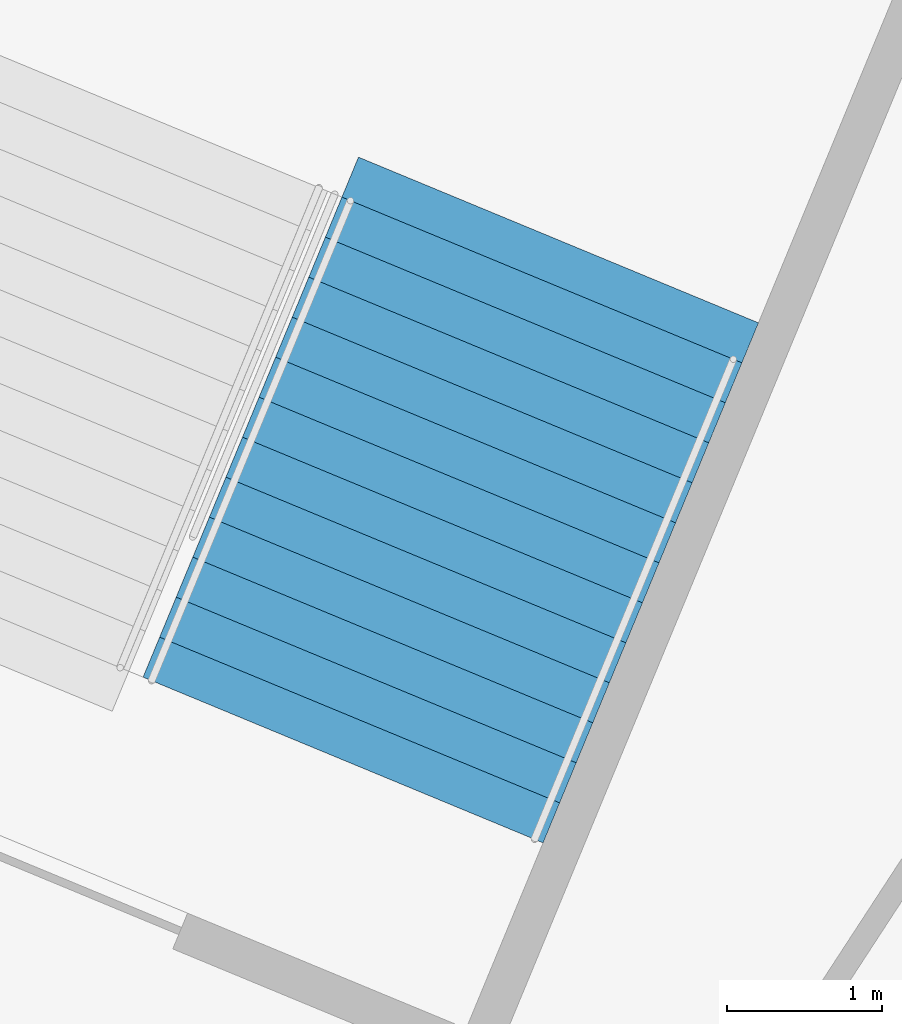
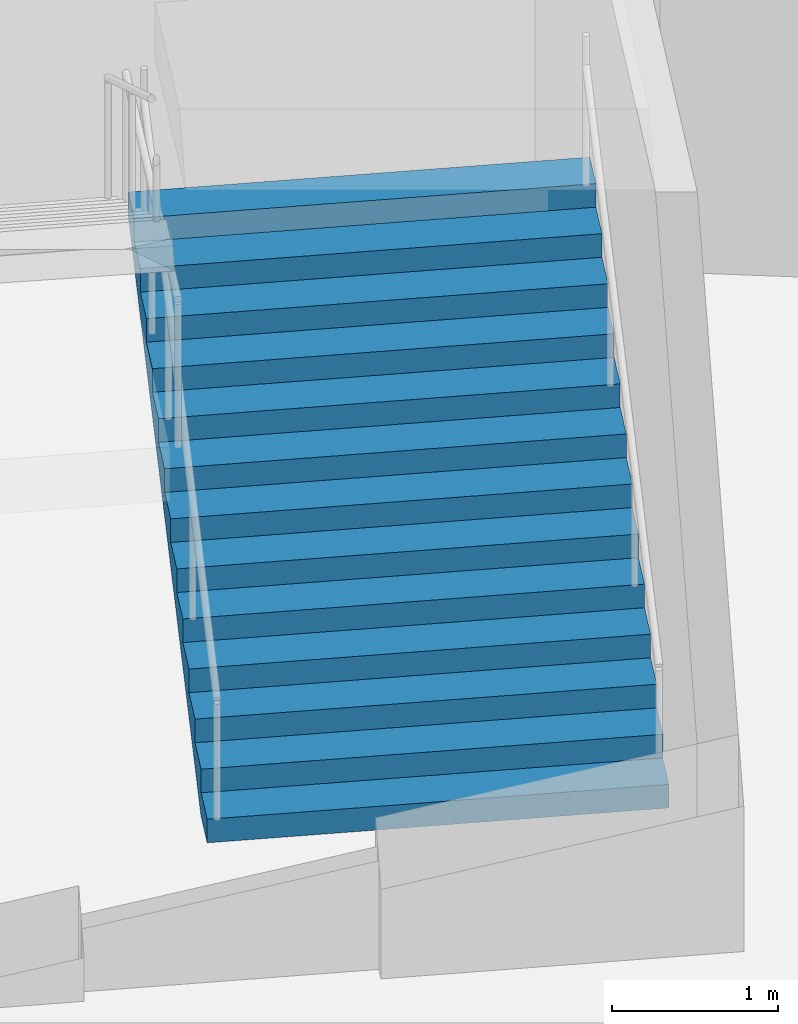
# One storey, part 153 of 175: 1 stair flight, 1 element without a shape of its own.
"""IFC4 building model written with IfcOpenShell, lengths in metres."""

from ifc_helpers import new_model, si_unit, direction, frame, origin, place, context, subcontext, project, spatial, faceted_brep, material, type_object, element, aggregate, save


model = new_model("IFC4")

# Units and contexts
model_context = context("Model", 3, precision=1e-05, world=origin(), true_north=direction((0.0, 1.0)))
body_context = subcontext(model_context, "Body", "Model", "MODEL_VIEW")
ifc_project = project(units=[si_unit("LENGTHUNIT", "METRE"), si_unit("AREAUNIT", "SQUARE_METRE"), si_unit("VOLUMEUNIT", "CUBIC_METRE"), si_unit("PLANEANGLEUNIT", "RADIAN"), si_unit("MASSUNIT", "GRAM", prefix="KILO")], contexts=[model_context])

# Site, building, storey
site_placement = place(None, origin())
site = spatial("IfcSite", under=ifc_project, at=site_placement, CompositionType="ELEMENT")
building_placement = place(site_placement, origin())
building = spatial("IfcBuilding", under=site, at=building_placement, Name="Ogive Plaza Stadium", CompositionType="ELEMENT")
storey_placement = place(building_placement, origin())
storey = spatial("IfcBuildingStorey", under=building, at=storey_placement, Name="L00", CompositionType="ELEMENT", Elevation=0.0)

# Stair, stair flight
ifc_material_1 = material(Name="Concrete C40/50", Category="concrete")
stair_type = type_object("IfcStairType", Name="Exit stair", PredefinedType="STRAIGHT_RUN_STAIR", material=ifc_material_1)
stair_placement = place(storey_placement, origin())
stair = element("IfcStair", 1, at=stair_placement, inside=storey, type_object=stair_type, Name="Exit stair ST38A L00 to L01", PredefinedType="STRAIGHT_RUN_STAIR")
ifc_material_2 = material(Name="Concrete C40/50", Category="concrete")
stair_flight_type = type_object("IfcStairFlightType", Name="Exit stair flight", PredefinedType="STRAIGHT", material=ifc_material_2)
stair_flight_placement = place(storey_placement, frame((54.294921875, 89.932861328125, 0.0), z_axis=(0.0, 0.0, 1.0), x_axis=(0.382683432365, 0.923879532511, 0.0)))
stair_flight = element("IfcStairFlight", 2, at=stair_flight_placement, type_object=stair_flight_type, Name="ST38A flight 1", NumberOfRisers=13, NumberOfTreads=12, PredefinedType="STRAIGHT", RiserHeight=0.173076923, TreadLength=0.28, context=body_context, shape_type="Brep", body=[
    faceted_brep([(0.28515625, -1.39990234375, 0.0), (3.639892578125, -1.39990234375, 2.07373046875), (3.639892578125, -1.39990234375, 2.25), (3.360107421875, -1.39990234375, 2.25), (3.360107421875, -1.39990234375, 2.076904296875), (3.080078125, -1.39990234375, 2.076904296875), (3.080078125, -1.39990234375, 1.90380859375), (2.800048828125, -1.39990234375, 1.90380859375), (2.800048828125, -1.39990234375, 1.730712890625), (2.52001953125, -1.39990234375, 1.730712890625), (2.52001953125, -1.39990234375, 1.5576171875), (2.239990234375, -1.39990234375, 1.5576171875), (2.239990234375, -1.39990234375, 1.384521484375), (1.9599609375, -1.39990234375, 1.384521484375), (1.9599609375, -1.39990234375, 1.21142578125), (1.679931640625, -1.39990234375, 1.21142578125), (1.679931640625, -1.39990234375, 1.03857421875), (1.39990234375, -1.39990234375, 1.03857421875), (1.39990234375, -1.39990234375, 0.865478515625), (1.1201171875, -1.39990234375, 0.865478515625), (1.1201171875, -1.39990234375, 0.6923828125), (0.840087890625, -1.39990234375, 0.6923828125), (0.840087890625, -1.39990234375, 0.519287109375), (0.56005859375, -1.39990234375, 0.519287109375), (0.56005859375, -1.39990234375, 0.34619140625), (0.280029296875, -1.39990234375, 0.34619140625), (0.280029296875, -1.39990234375, 0.173095703125), (0.0, -1.39990234375, 0.173095703125), (0.0, -1.39990234375, 0.0), (0.0, 1.39990234375, 0.0), (0.0, 1.39990234375, 0.173095703125), (0.280029296875, 1.39990234375, 0.173095703125), (0.280029296875, 1.39990234375, 0.34619140625), (0.56005859375, 1.39990234375, 0.34619140625), (0.56005859375, 1.39990234375, 0.519287109375), (0.840087890625, 1.39990234375, 0.519287109375), (0.840087890625, 1.39990234375, 0.6923828125), (1.1201171875, 1.39990234375, 0.6923828125), (1.1201171875, 1.39990234375, 0.865478515625), (1.39990234375, 1.39990234375, 0.865478515625), (1.39990234375, 1.39990234375, 1.03857421875), (1.679931640625, 1.39990234375, 1.03857421875), (1.679931640625, 1.39990234375, 1.21142578125), (1.9599609375, 1.39990234375, 1.21142578125), (1.9599609375, 1.39990234375, 1.384521484375), (2.239990234375, 1.39990234375, 1.384521484375), (2.239990234375, 1.39990234375, 1.5576171875), (2.52001953125, 1.39990234375, 1.5576171875), (2.52001953125, 1.39990234375, 1.730712890625), (2.800048828125, 1.39990234375, 1.730712890625), (2.800048828125, 1.39990234375, 1.90380859375), (3.080078125, 1.39990234375, 1.90380859375), (3.080078125, 1.39990234375, 2.076904296875), (3.360107421875, 1.39990234375, 2.076904296875), (3.360107421875, 1.39990234375, 2.25), (3.639892578125, 1.39990234375, 2.25), (3.639892578125, 1.39990234375, 2.07373046875), (0.28515625, 1.39990234375, 0.0), (0.28515625, -1.0888671875, 0.0), (3.639892578125, -1.0888671875, 2.07373046875), (0.28515625, -0.77783203125, 0.0), (3.639892578125, -0.77783203125, 2.07373046875), (0.28515625, -0.466796875, 0.0), (3.639892578125, -0.466796875, 2.07373046875), (0.28515625, -0.155517578125, 0.0), (3.639892578125, -0.155517578125, 2.07373046875), (0.28515625, 0.155517578125, 0.0), (3.639892578125, 0.155517578125, 2.07373046875), (0.28515625, 0.466796875, 0.0), (3.639892578125, 0.466796875, 2.07373046875), (0.28515625, 0.77783203125, 0.0), (3.639892578125, 0.77783203125, 2.07373046875), (0.28515625, 1.0888671875, 0.0), (3.639892578125, 1.0888671875, 2.07373046875), (3.639892578125, -1.0888671875, 2.25), (3.639892578125, -0.77783203125, 2.25), (3.639892578125, -0.466796875, 2.25), (3.639892578125, -0.155517578125, 2.25), (3.639892578125, 0.155517578125, 2.25), (3.639892578125, 0.466796875, 2.25), (3.639892578125, 0.77783203125, 2.25), (3.639892578125, 1.0888671875, 2.25), (3.360107421875, -1.0888671875, 2.25), (3.360107421875, -0.77783203125, 2.25), (3.360107421875, -0.466796875, 2.25), (3.360107421875, -0.155517578125, 2.25), (3.360107421875, 0.155517578125, 2.25), (3.360107421875, 0.466796875, 2.25), (3.360107421875, 0.77783203125, 2.25), (3.360107421875, 1.0888671875, 2.25), (3.360107421875, -1.0888671875, 2.076904296875), (3.360107421875, -0.77783203125, 2.076904296875), (3.360107421875, -0.466796875, 2.076904296875), (3.360107421875, -0.155517578125, 2.076904296875), (3.360107421875, 0.155517578125, 2.076904296875), (3.360107421875, 0.466796875, 2.076904296875), (3.360107421875, 0.77783203125, 2.076904296875), (3.360107421875, 1.0888671875, 2.076904296875), (3.080078125, -1.0888671875, 2.076904296875), (3.080078125, -0.77783203125, 2.076904296875), (3.080078125, -0.466796875, 2.076904296875), (3.080078125, -0.155517578125, 2.076904296875), (3.080078125, 0.155517578125, 2.076904296875), (3.080078125, 0.466796875, 2.076904296875), (3.080078125, 0.77783203125, 2.076904296875), (3.080078125, 1.0888671875, 2.076904296875), (3.080078125, -1.0888671875, 1.90380859375), (3.080078125, -0.77783203125, 1.90380859375), (3.080078125, -0.466796875, 1.90380859375), (3.080078125, -0.155517578125, 1.90380859375), (3.080078125, 0.155517578125, 1.90380859375), (3.080078125, 0.466796875, 1.90380859375), (3.080078125, 0.77783203125, 1.90380859375), (3.080078125, 1.0888671875, 1.90380859375), (2.800048828125, -1.0888671875, 1.90380859375), (2.800048828125, -0.77783203125, 1.90380859375), (2.800048828125, -0.466796875, 1.90380859375), (2.800048828125, -0.155517578125, 1.90380859375), (2.800048828125, 0.155517578125, 1.90380859375), (2.800048828125, 0.466796875, 1.90380859375), (2.800048828125, 0.77783203125, 1.90380859375), (2.800048828125, 1.0888671875, 1.90380859375), (2.800048828125, -1.0888671875, 1.730712890625), (2.800048828125, -0.77783203125, 1.730712890625), (2.800048828125, -0.466796875, 1.730712890625), (2.800048828125, -0.155517578125, 1.730712890625), (2.800048828125, 0.155517578125, 1.730712890625), (2.800048828125, 0.466796875, 1.730712890625), (2.800048828125, 0.77783203125, 1.730712890625), (2.800048828125, 1.0888671875, 1.730712890625), (2.52001953125, -1.0888671875, 1.730712890625), (2.52001953125, -0.77783203125, 1.730712890625), (2.52001953125, -0.466796875, 1.730712890625), (2.52001953125, -0.155517578125, 1.730712890625), (2.52001953125, 0.155517578125, 1.730712890625), (2.52001953125, 0.466796875, 1.730712890625), (2.52001953125, 0.77783203125, 1.730712890625), (2.52001953125, 1.0888671875, 1.730712890625), (2.52001953125, -1.0888671875, 1.5576171875), (2.52001953125, -0.77783203125, 1.5576171875), (2.52001953125, -0.466796875, 1.5576171875), (2.52001953125, -0.155517578125, 1.5576171875), (2.52001953125, 0.155517578125, 1.5576171875), (2.52001953125, 0.466796875, 1.5576171875), (2.52001953125, 0.77783203125, 1.5576171875), (2.52001953125, 1.0888671875, 1.5576171875), (2.239990234375, -1.0888671875, 1.5576171875), (2.239990234375, -0.77783203125, 1.5576171875), (2.239990234375, -0.466796875, 1.5576171875), (2.239990234375, -0.155517578125, 1.5576171875), (2.239990234375, 0.155517578125, 1.5576171875), (2.239990234375, 0.466796875, 1.5576171875), (2.239990234375, 0.77783203125, 1.5576171875), (2.239990234375, 1.0888671875, 1.5576171875), (2.239990234375, -1.0888671875, 1.384521484375), (2.239990234375, -0.77783203125, 1.384521484375), (2.239990234375, -0.466796875, 1.384521484375), (2.239990234375, -0.155517578125, 1.384521484375), (2.239990234375, 0.155517578125, 1.384521484375), (2.239990234375, 0.466796875, 1.384521484375), (2.239990234375, 0.77783203125, 1.384521484375), (2.239990234375, 1.0888671875, 1.384521484375), (1.9599609375, -1.0888671875, 1.384521484375), (1.9599609375, -0.77783203125, 1.384521484375), (1.9599609375, -0.466796875, 1.384521484375), (1.9599609375, -0.155517578125, 1.384521484375), (1.9599609375, 0.155517578125, 1.384521484375), (1.9599609375, 0.466796875, 1.384521484375), (1.9599609375, 0.77783203125, 1.384521484375), (1.9599609375, 1.0888671875, 1.384521484375), (1.9599609375, -1.0888671875, 1.21142578125), (1.9599609375, -0.77783203125, 1.21142578125), (1.9599609375, -0.466796875, 1.21142578125), (1.9599609375, -0.155517578125, 1.21142578125), (1.9599609375, 0.155517578125, 1.21142578125), (1.9599609375, 0.466796875, 1.21142578125), (1.9599609375, 0.77783203125, 1.21142578125), (1.9599609375, 1.0888671875, 1.21142578125), (1.679931640625, -1.0888671875, 1.21142578125), (1.679931640625, -0.77783203125, 1.21142578125), (1.679931640625, -0.466796875, 1.21142578125), (1.679931640625, -0.155517578125, 1.21142578125), (1.679931640625, 0.155517578125, 1.21142578125), (1.679931640625, 0.466796875, 1.21142578125), (1.679931640625, 0.77783203125, 1.21142578125), (1.679931640625, 1.0888671875, 1.21142578125), (1.679931640625, -1.0888671875, 1.03857421875), (1.679931640625, -0.77783203125, 1.03857421875), (1.679931640625, -0.466796875, 1.03857421875), (1.679931640625, -0.155517578125, 1.03857421875), (1.679931640625, 0.155517578125, 1.03857421875), (1.679931640625, 0.466796875, 1.03857421875), (1.679931640625, 0.77783203125, 1.03857421875), (1.679931640625, 1.0888671875, 1.03857421875), (1.39990234375, -1.0888671875, 1.03857421875), (1.39990234375, -0.77783203125, 1.03857421875), (1.39990234375, -0.466796875, 1.03857421875), (1.39990234375, -0.155517578125, 1.03857421875), (1.39990234375, 0.155517578125, 1.03857421875), (1.39990234375, 0.466796875, 1.03857421875), (1.39990234375, 0.77783203125, 1.03857421875), (1.39990234375, 1.0888671875, 1.03857421875), (1.39990234375, -1.0888671875, 0.865478515625), (1.39990234375, -0.77783203125, 0.865478515625), (1.39990234375, -0.466796875, 0.865478515625), (1.39990234375, -0.155517578125, 0.865478515625), (1.39990234375, 0.155517578125, 0.865478515625), (1.39990234375, 0.466796875, 0.865478515625), (1.39990234375, 0.77783203125, 0.865478515625), (1.39990234375, 1.0888671875, 0.865478515625), (1.1201171875, -1.0888671875, 0.865478515625), (1.1201171875, -0.77783203125, 0.865478515625), (1.1201171875, -0.466796875, 0.865478515625), (1.1201171875, -0.155517578125, 0.865478515625), (1.1201171875, 0.155517578125, 0.865478515625), (1.1201171875, 0.466796875, 0.865478515625), (1.1201171875, 0.77783203125, 0.865478515625), (1.1201171875, 1.0888671875, 0.865478515625), (1.1201171875, -1.0888671875, 0.6923828125), (1.1201171875, -0.77783203125, 0.6923828125), (1.1201171875, -0.466796875, 0.6923828125), (1.1201171875, -0.155517578125, 0.6923828125), (1.1201171875, 0.155517578125, 0.6923828125), (1.1201171875, 0.466796875, 0.6923828125), (1.1201171875, 0.77783203125, 0.6923828125), (1.1201171875, 1.0888671875, 0.6923828125), (0.840087890625, -1.0888671875, 0.6923828125), (0.840087890625, -0.77783203125, 0.6923828125), (0.840087890625, -0.466796875, 0.6923828125), (0.840087890625, -0.155517578125, 0.6923828125), (0.840087890625, 0.155517578125, 0.6923828125), (0.840087890625, 0.466796875, 0.6923828125), (0.840087890625, 0.77783203125, 0.6923828125), (0.840087890625, 1.0888671875, 0.6923828125), (0.840087890625, -1.0888671875, 0.519287109375), (0.840087890625, -0.77783203125, 0.519287109375), (0.840087890625, -0.466796875, 0.519287109375), (0.840087890625, -0.155517578125, 0.519287109375), (0.840087890625, 0.155517578125, 0.519287109375), (0.840087890625, 0.466796875, 0.519287109375), (0.840087890625, 0.77783203125, 0.519287109375), (0.840087890625, 1.0888671875, 0.519287109375), (0.56005859375, -1.0888671875, 0.519287109375), (0.56005859375, -0.77783203125, 0.519287109375), (0.56005859375, -0.466796875, 0.519287109375), (0.56005859375, -0.155517578125, 0.519287109375), (0.56005859375, 0.155517578125, 0.519287109375), (0.56005859375, 0.466796875, 0.519287109375), (0.56005859375, 0.77783203125, 0.519287109375), (0.56005859375, 1.0888671875, 0.519287109375), (0.56005859375, -1.0888671875, 0.34619140625), (0.56005859375, -0.77783203125, 0.34619140625), (0.56005859375, -0.466796875, 0.34619140625), (0.56005859375, -0.155517578125, 0.34619140625), (0.56005859375, 0.155517578125, 0.34619140625), (0.56005859375, 0.466796875, 0.34619140625), (0.56005859375, 0.77783203125, 0.34619140625), (0.56005859375, 1.0888671875, 0.34619140625), (0.280029296875, -1.0888671875, 0.34619140625), (0.280029296875, -0.77783203125, 0.34619140625), (0.280029296875, -0.466796875, 0.34619140625), (0.280029296875, -0.155517578125, 0.34619140625), (0.280029296875, 0.155517578125, 0.34619140625), (0.280029296875, 0.466796875, 0.34619140625), (0.280029296875, 0.77783203125, 0.34619140625), (0.280029296875, 1.0888671875, 0.34619140625), (0.280029296875, -1.0888671875, 0.173095703125), (0.280029296875, -0.77783203125, 0.173095703125), (0.280029296875, -0.466796875, 0.173095703125), (0.280029296875, -0.155517578125, 0.173095703125), (0.280029296875, 0.155517578125, 0.173095703125), (0.280029296875, 0.466796875, 0.173095703125), (0.280029296875, 0.77783203125, 0.173095703125), (0.280029296875, 1.0888671875, 0.173095703125), (0.0, -1.0888671875, 0.173095703125), (0.0, -0.77783203125, 0.173095703125), (0.0, -0.466796875, 0.173095703125), (0.0, -0.155517578125, 0.173095703125), (0.0, 0.155517578125, 0.173095703125), (0.0, 0.466796875, 0.173095703125), (0.0, 0.77783203125, 0.173095703125), (0.0, 1.0888671875, 0.173095703125), (0.0, -1.0888671875, 0.0), (0.0, -0.77783203125, 0.0), (0.0, -0.466796875, 0.0), (0.0, -0.155517578125, 0.0), (0.0, 0.155517578125, 0.0), (0.0, 0.466796875, 0.0), (0.0, 0.77783203125, 0.0), (0.0, 1.0888671875, 0.0)], [[[0, 1, 2, 3, 4, 5, 6, 7, 8, 9, 10, 11, 12, 13, 14, 15, 16, 17, 18, 19, 20, 21, 22, 23, 24, 25, 26, 27, 28]], [[29, 30, 31, 32, 33, 34, 35, 36, 37, 38, 39, 40, 41, 42, 43, 44, 45, 46, 47, 48, 49, 50, 51, 52, 53, 54, 55, 56, 57]], [[0, 58, 59, 1]], [[58, 60, 61, 59]], [[60, 62, 63, 61]], [[62, 64, 65, 63]], [[64, 66, 67, 65]], [[66, 68, 69, 67]], [[68, 70, 71, 69]], [[70, 72, 73, 71]], [[72, 57, 56, 73]], [[1, 59, 74, 2]], [[59, 61, 75, 74]], [[61, 63, 76, 75]], [[63, 65, 77, 76]], [[65, 67, 78, 77]], [[67, 69, 79, 78]], [[69, 71, 80, 79]], [[71, 73, 81, 80]], [[73, 56, 55, 81]], [[2, 74, 82, 3]], [[74, 75, 83, 82]], [[75, 76, 84, 83]], [[76, 77, 85, 84]], [[77, 78, 86, 85]], [[78, 79, 87, 86]], [[79, 80, 88, 87]], [[80, 81, 89, 88]], [[81, 55, 54, 89]], [[3, 82, 90, 4]], [[82, 83, 91, 90]], [[83, 84, 92, 91]], [[84, 85, 93, 92]], [[85, 86, 94, 93]], [[86, 87, 95, 94]], [[87, 88, 96, 95]], [[88, 89, 97, 96]], [[89, 54, 53, 97]], [[4, 90, 98, 5]], [[90, 91, 99, 98]], [[91, 92, 100, 99]], [[92, 93, 101, 100]], [[93, 94, 102, 101]], [[94, 95, 103, 102]], [[95, 96, 104, 103]], [[96, 97, 105, 104]], [[97, 53, 52, 105]], [[5, 98, 106, 6]], [[98, 99, 107, 106]], [[99, 100, 108, 107]], [[100, 101, 109, 108]], [[101, 102, 110, 109]], [[102, 103, 111, 110]], [[103, 104, 112, 111]], [[104, 105, 113, 112]], [[105, 52, 51, 113]], [[6, 106, 114, 7]], [[106, 107, 115, 114]], [[107, 108, 116, 115]], [[108, 109, 117, 116]], [[109, 110, 118, 117]], [[110, 111, 119, 118]], [[111, 112, 120, 119]], [[112, 113, 121, 120]], [[113, 51, 50, 121]], [[7, 114, 122, 8]], [[114, 115, 123, 122]], [[115, 116, 124, 123]], [[116, 117, 125, 124]], [[117, 118, 126, 125]], [[118, 119, 127, 126]], [[119, 120, 128, 127]], [[120, 121, 129, 128]], [[121, 50, 49, 129]], [[8, 122, 130, 9]], [[122, 123, 131, 130]], [[123, 124, 132, 131]], [[124, 125, 133, 132]], [[125, 126, 134, 133]], [[126, 127, 135, 134]], [[127, 128, 136, 135]], [[128, 129, 137, 136]], [[129, 49, 48, 137]], [[9, 130, 138, 10]], [[130, 131, 139, 138]], [[131, 132, 140, 139]], [[132, 133, 141, 140]], [[133, 134, 142, 141]], [[134, 135, 143, 142]], [[135, 136, 144, 143]], [[136, 137, 145, 144]], [[137, 48, 47, 145]], [[10, 138, 146, 11]], [[138, 139, 147, 146]], [[139, 140, 148, 147]], [[140, 141, 149, 148]], [[141, 142, 150, 149]], [[142, 143, 151, 150]], [[143, 144, 152, 151]], [[144, 145, 153, 152]], [[145, 47, 46, 153]], [[11, 146, 154, 12]], [[146, 147, 155, 154]], [[147, 148, 156, 155]], [[148, 149, 157, 156]], [[149, 150, 158, 157]], [[150, 151, 159, 158]], [[151, 152, 160, 159]], [[152, 153, 161, 160]], [[153, 46, 45, 161]], [[12, 154, 162, 13]], [[154, 155, 163, 162]], [[155, 156, 164, 163]], [[156, 157, 165, 164]], [[157, 158, 166, 165]], [[158, 159, 167, 166]], [[159, 160, 168, 167]], [[160, 161, 169, 168]], [[161, 45, 44, 169]], [[13, 162, 170, 14]], [[162, 163, 171, 170]], [[163, 164, 172, 171]], [[164, 165, 173, 172]], [[165, 166, 174, 173]], [[166, 167, 175, 174]], [[167, 168, 176, 175]], [[168, 169, 177, 176]], [[169, 44, 43, 177]], [[14, 170, 178, 15]], [[170, 171, 179, 178]], [[171, 172, 180, 179]], [[172, 173, 181, 180]], [[173, 174, 182, 181]], [[174, 175, 183, 182]], [[175, 176, 184, 183]], [[176, 177, 185, 184]], [[177, 43, 42, 185]], [[15, 178, 186, 16]], [[178, 179, 187, 186]], [[179, 180, 188, 187]], [[180, 181, 189, 188]], [[181, 182, 190, 189]], [[182, 183, 191, 190]], [[183, 184, 192, 191]], [[184, 185, 193, 192]], [[185, 42, 41, 193]], [[16, 186, 194, 17]], [[186, 187, 195, 194]], [[187, 188, 196, 195]], [[188, 189, 197, 196]], [[189, 190, 198, 197]], [[190, 191, 199, 198]], [[191, 192, 200, 199]], [[192, 193, 201, 200]], [[193, 41, 40, 201]], [[17, 194, 202, 18]], [[194, 195, 203, 202]], [[195, 196, 204, 203]], [[196, 197, 205, 204]], [[197, 198, 206, 205]], [[198, 199, 207, 206]], [[199, 200, 208, 207]], [[200, 201, 209, 208]], [[201, 40, 39, 209]], [[18, 202, 210, 19]], [[202, 203, 211, 210]], [[203, 204, 212, 211]], [[204, 205, 213, 212]], [[205, 206, 214, 213]], [[206, 207, 215, 214]], [[207, 208, 216, 215]], [[208, 209, 217, 216]], [[209, 39, 38, 217]], [[19, 210, 218, 20]], [[210, 211, 219, 218]], [[211, 212, 220, 219]], [[212, 213, 221, 220]], [[213, 214, 222, 221]], [[214, 215, 223, 222]], [[215, 216, 224, 223]], [[216, 217, 225, 224]], [[217, 38, 37, 225]], [[20, 218, 226, 21]], [[218, 219, 227, 226]], [[219, 220, 228, 227]], [[220, 221, 229, 228]], [[221, 222, 230, 229]], [[222, 223, 231, 230]], [[223, 224, 232, 231]], [[224, 225, 233, 232]], [[225, 37, 36, 233]], [[21, 226, 234, 22]], [[226, 227, 235, 234]], [[227, 228, 236, 235]], [[228, 229, 237, 236]], [[229, 230, 238, 237]], [[230, 231, 239, 238]], [[231, 232, 240, 239]], [[232, 233, 241, 240]], [[233, 36, 35, 241]], [[22, 234, 242, 23]], [[234, 235, 243, 242]], [[235, 236, 244, 243]], [[236, 237, 245, 244]], [[237, 238, 246, 245]], [[238, 239, 247, 246]], [[239, 240, 248, 247]], [[240, 241, 249, 248]], [[241, 35, 34, 249]], [[23, 242, 250, 24]], [[242, 243, 251, 250]], [[243, 244, 252, 251]], [[244, 245, 253, 252]], [[245, 246, 254, 253]], [[246, 247, 255, 254]], [[247, 248, 256, 255]], [[248, 249, 257, 256]], [[249, 34, 33, 257]], [[24, 250, 258, 25]], [[250, 251, 259, 258]], [[251, 252, 260, 259]], [[252, 253, 261, 260]], [[253, 254, 262, 261]], [[254, 255, 263, 262]], [[255, 256, 264, 263]], [[256, 257, 265, 264]], [[257, 33, 32, 265]], [[25, 258, 266, 26]], [[258, 259, 267, 266]], [[259, 260, 268, 267]], [[260, 261, 269, 268]], [[261, 262, 270, 269]], [[262, 263, 271, 270]], [[263, 264, 272, 271]], [[264, 265, 273, 272]], [[265, 32, 31, 273]], [[26, 266, 274, 27]], [[266, 267, 275, 274]], [[267, 268, 276, 275]], [[268, 269, 277, 276]], [[269, 270, 278, 277]], [[270, 271, 279, 278]], [[271, 272, 280, 279]], [[272, 273, 281, 280]], [[273, 31, 30, 281]], [[27, 274, 282, 28]], [[274, 275, 283, 282]], [[275, 276, 284, 283]], [[276, 277, 285, 284]], [[277, 278, 286, 285]], [[278, 279, 287, 286]], [[279, 280, 288, 287]], [[280, 281, 289, 288]], [[281, 30, 29, 289]], [[28, 282, 58, 0]], [[282, 283, 60, 58]], [[283, 284, 62, 60]], [[284, 285, 64, 62]], [[285, 286, 66, 64]], [[286, 287, 68, 66]], [[287, 288, 70, 68]], [[288, 289, 72, 70]], [[289, 29, 57, 72]]]),
])
aggregate(stair, [stair_flight])

save(model, "model.ifc")
